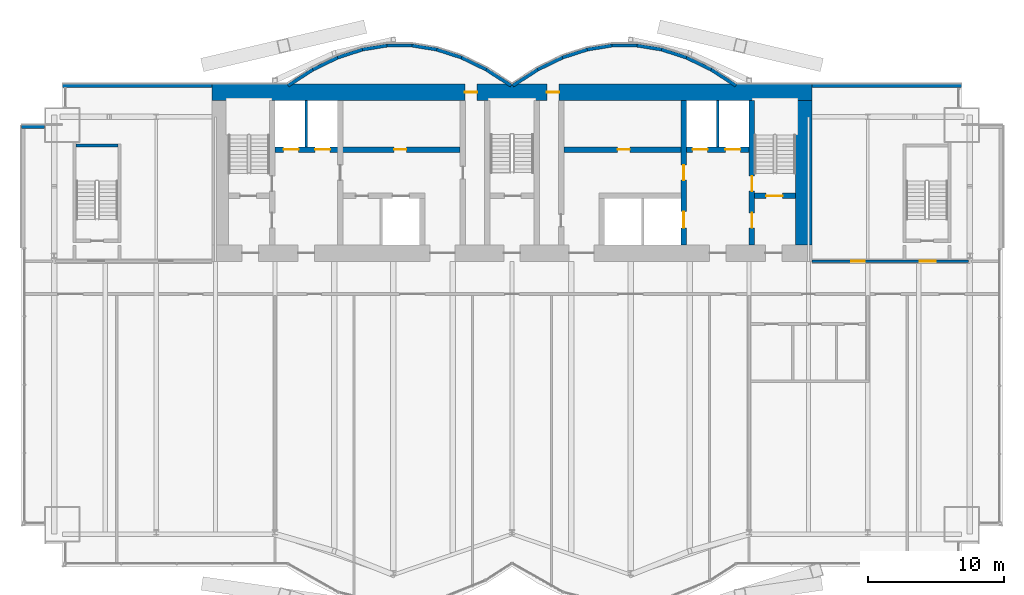
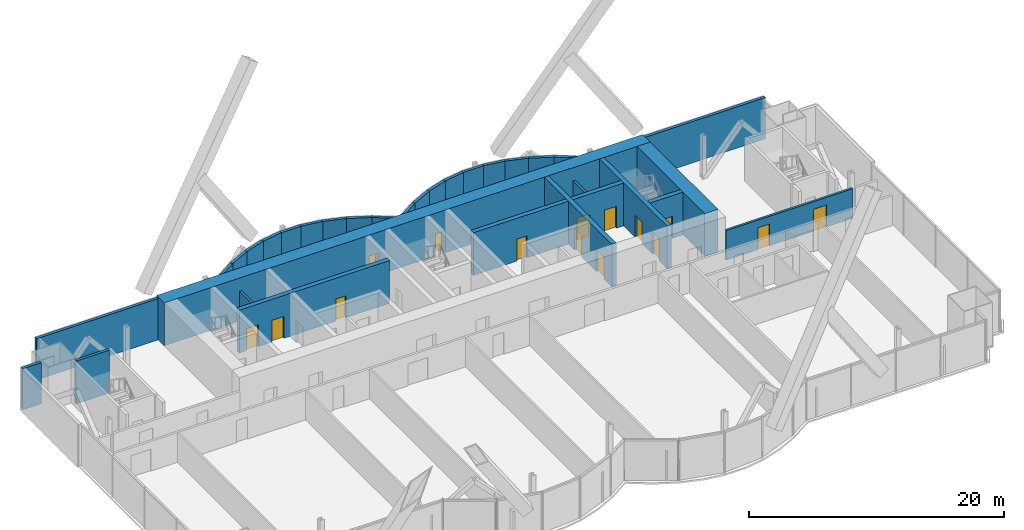
# One storey, part 19 of 23: 32 walls, 15 doors, 15 openings.
"""IFC4 building model written with IfcOpenShell, lengths in metres."""

from ifc_helpers import new_model, si_unit, direction, frame, frame_2d, origin, place, context, subcontext, project, spatial, rectangle, extrude, material, layer, layer_set, layer_usage, type_object, element, fill, save


model = new_model("IFC4")

# Units and contexts
model_context = context("Model", 3, precision=1e-05, world=origin(), true_north=direction((0.0, 1.0)))
body_context = subcontext(model_context, "Body", "Model", "MODEL_VIEW")
ifc_project = project(units=[si_unit("LENGTHUNIT", "METRE"), si_unit("AREAUNIT", "SQUARE_METRE"), si_unit("VOLUMEUNIT", "CUBIC_METRE"), si_unit("PLANEANGLEUNIT", "RADIAN"), si_unit("MASSUNIT", "GRAM", prefix="KILO")], contexts=[model_context])

# Site, building, storey
site_placement = place(None, origin())
site = spatial("IfcSite", under=ifc_project, at=site_placement, CompositionType="ELEMENT")
building_placement = place(site_placement, origin())
building = spatial("IfcBuilding", under=site, at=building_placement, Name="Bicima Exchange Tower", CompositionType="ELEMENT")
storey_placement = place(building_placement, frame((0.0, 0.0, 152.699951171875)))
storey = spatial("IfcBuildingStorey", under=building, at=storey_placement, Name="L33", CompositionType="ELEMENT", Elevation=152.699951171875)

# Walls
ifc_material_1 = material(Name="Gypsum board partition")
ifc_layer_1 = layer(ifc_material_1, 0.199951171875)
ifc_layer_set_1 = layer_set([ifc_layer_1], Name="Gypsum board partition")
wall_type_1 = type_object("IfcWallType", Name="Fire-rated gypsum partition 200 EI120", PredefinedType="PARTITIONING", material=ifc_layer_set_1)
for number, where, z_axis, x_axis, name in (
    (1, (-15.10009765625, -4.60009765625, 0.0), (0.0, 0.0, 1.0), (0.0, 1.0, 0.0), "partition wall 9"),
    (2, (15.10009765625, -4.60009765625, 0.0), (0.0, 0.0, 1.0), (0.0, 1.0, 0.0), "partition wall 20"),
):
    element("IfcWall", number, at=place(storey_placement, frame(where, z_axis=z_axis, x_axis=x_axis)), inside=storey, type_object=wall_type_1, Name=name, PredefinedType="PARTITIONING", context=body_context, shape_type="SweptSolid", body=[
        extrude(rectangle(XDim=3.400146484375, YDim=0.199951171875, at=frame_2d((1.7001953125, 0.0))), origin(), (0.0, 0.0, 1.0), 2.84033203125),
    ])

# Wall, openings, doors
ifc_layer_2 = layer(ifc_material_1, 0.199951171875)
ifc_layer_set_2 = layer_set([ifc_layer_2], Name="Gypsum board partition")
wall_type_2 = type_object("IfcWallType", Name="Fire-rated gypsum partition 200 EI60", PredefinedType="PARTITIONING", material=ifc_layer_set_2)
wall_1_placement = place(storey_placement, frame((22.0, -13.0, 0.0), z_axis=(0.0, 0.0, 1.0), x_axis=(1.0, 0.0, 0.0)))
wall_1 = element("IfcWall", 3, at=wall_1_placement, inside=storey, type_object=wall_type_2, Name="partition wall 6", PredefinedType="PARTITIONING", context=body_context, shape_type="SweptSolid", body=[
    extrude(rectangle(XDim=11.47998046875, YDim=0.199951171875, at=frame_2d((5.739990234375, 0.0))), origin(), (0.0, 0.0, 1.0), 2.84033203125),
])
opening_1_placement = place(wall_1_placement, frame((7.89990234375, 0.0, 0.0)))
opening_1 = element("IfcOpeningElement", 4, at=opening_1_placement, cuts=wall_1, Name="Opening L33-003", PredefinedType="OPENING", context=body_context, shape_type="SweptSolid", body=[
    extrude(rectangle(XDim=1.199951171875, YDim=2.10009765625, at=frame_2d((0.60009765625, 1.050048828125))), frame((0.0, 0.11181640625, 0.0), z_axis=(0.0, -1.0, 0.0), x_axis=(1.0, 0.0, 0.0)), (0.0, 0.0, 1.0), 0.223876953125),
])
opening_2_placement = place(wall_1_placement, frame((2.89990234375, 0.0, 0.0)))
opening_2 = element("IfcOpeningElement", 5, at=opening_2_placement, cuts=wall_1, Name="Opening L33-006", PredefinedType="OPENING", context=body_context, shape_type="SweptSolid", body=[
    extrude(rectangle(XDim=1.0, YDim=2.10009765625, at=frame_2d((0.5, 1.050048828125))), frame((0.0, 0.11181640625, 0.0), z_axis=(0.0, -1.0, 0.0), x_axis=(1.0, 0.0, 0.0)), (0.0, 0.0, 1.0), 0.223876953125),
])
ifc_material_2 = material(Name="Steel fire door leaf", Category="steel")
door_type_1 = type_object("IfcDoorType", Name="Door 1000 swing FD30S", OperationType="SINGLE_SWING_LEFT", PredefinedType="DOOR", material=ifc_material_2)
door_1_placement = place(opening_2_placement, origin())
door_1 = element("IfcDoor", 6, at=door_1_placement, inside=storey, type_object=door_type_1, Name="Door", OperationType="SINGLE_SWING_RIGHT", OverallHeight=2.10009765625, OverallWidth=1.0, PredefinedType="DOOR", context=body_context, shape_type="SweptSolid", body=[
    extrude(rectangle(XDim=1.0, YDim=2.10009765625, at=frame_2d((0.5, 1.050048828125))), frame((0.0, 0.02490234375, 0.0), z_axis=(0.0, -1.0, 0.0), x_axis=(1.0, 0.0, 0.0)), (0.0, 0.0, 1.0), 0.050048828125),
])
fill(opening_2, door_1)
door_type_2 = type_object("IfcDoorType", Name="Door 1200 swing FD30S", OperationType="SINGLE_SWING_LEFT", PredefinedType="DOOR", material=ifc_material_2)
door_2_placement = place(opening_1_placement, origin())
door_2 = element("IfcDoor", 7, at=door_2_placement, inside=storey, type_object=door_type_2, Name="Door", OperationType="SINGLE_SWING_RIGHT", OverallHeight=2.10009765625, OverallWidth=1.199951171875, PredefinedType="DOOR", context=body_context, shape_type="SweptSolid", body=[
    extrude(rectangle(XDim=1.199951171875, YDim=2.10009765625, at=frame_2d((0.60009765625, 1.050048828125))), frame((0.0, 0.02490234375, 0.0), z_axis=(0.0, -1.0, 0.0), x_axis=(1.0, 0.0, 0.0)), (0.0, 0.0, 1.0), 0.050048828125),
])
fill(opening_1, door_2)

ifc_material_3 = material(Name="Concrete C50/60", Category="concrete")
ifc_layer_3 = layer(ifc_material_3, 1.199951171875)
ifc_layer_set_3 = layer_set([ifc_layer_3], Name="Concrete C50/60")
wall_type_3 = type_object("IfcWallType", Name="RC core wall 1200 C50/60", PredefinedType="SHEAR", material=ifc_layer_set_3)
wall_2_placement = place(storey_placement, frame((-22.0, -0.60009765625, 0.0), z_axis=(0.0, 0.0, 1.0), x_axis=(1.0, 0.0, 0.0)))
wall_2 = element("IfcWall", 8, at=wall_2_placement, inside=storey, type_object=wall_type_3, Name="Core wall north", PredefinedType="SHEAR", context=body_context, shape_type="SweptSolid", body=[
    extrude(rectangle(XDim=44.0, YDim=1.199951171875, at=frame_2d((22.0, 0.0))), origin(), (0.0, 0.0, 1.0), 4.10009765625),
])
opening_3_placement = place(wall_2_placement, frame((18.550048828125, 0.0, 0.0)))
opening_3 = element("IfcOpeningElement", 9, at=opening_3_placement, cuts=wall_2, Name="Opening L33-C15", PredefinedType="OPENING", context=body_context, shape_type="SweptSolid", body=[
    extrude(rectangle(XDim=0.89990234375, YDim=2.10009765625, at=frame_2d((0.449951171875, 1.050048828125))), frame((0.0, 0.61181640625, 0.0), z_axis=(0.0, -1.0, 0.0), x_axis=(1.0, 0.0, 0.0)), (0.0, 0.0, 1.0), 1.223876953125),
])
opening_4_placement = place(wall_2_placement, frame((24.550048828125, 0.0, 0.0)))
opening_4 = element("IfcOpeningElement", 10, at=opening_4_placement, cuts=wall_2, Name="Opening L33-C16", PredefinedType="OPENING", context=body_context, shape_type="SweptSolid", body=[
    extrude(rectangle(XDim=0.89990234375, YDim=2.10009765625, at=frame_2d((0.449951171875, 1.050048828125))), frame((0.0, 0.61181640625, 0.0), z_axis=(0.0, -1.0, 0.0), x_axis=(1.0, 0.0, 0.0)), (0.0, 0.0, 1.0), 1.223876953125),
])
door_type_3 = type_object("IfcDoorType", Name="Door 900 swing FD30S", OperationType="SINGLE_SWING_LEFT", PredefinedType="DOOR", material=ifc_material_2)
door_3_placement = place(opening_3_placement, origin())
door_3 = element("IfcDoor", 11, at=door_3_placement, inside=storey, type_object=door_type_3, Name="Core door", OperationType="SINGLE_SWING_LEFT", OverallHeight=2.10009765625, OverallWidth=0.89990234375, PredefinedType="DOOR", context=body_context, shape_type="SweptSolid", body=[
    extrude(rectangle(XDim=0.89990234375, YDim=2.10009765625, at=frame_2d((0.449951171875, 1.050048828125))), frame((0.0, 0.02490234375, 0.0), z_axis=(0.0, -1.0, 0.0), x_axis=(1.0, 0.0, 0.0)), (0.0, 0.0, 1.0), 0.050048828125),
])
fill(opening_3, door_3)
door_4_placement = place(opening_4_placement, origin())
door_4 = element("IfcDoor", 12, at=door_4_placement, inside=storey, type_object=door_type_3, Name="Core door", OperationType="SINGLE_SWING_LEFT", OverallHeight=2.10009765625, OverallWidth=0.89990234375, PredefinedType="DOOR", context=body_context, shape_type="SweptSolid", body=[
    extrude(rectangle(XDim=0.89990234375, YDim=2.10009765625, at=frame_2d((0.449951171875, 1.050048828125))), frame((0.0, 0.02490234375, 0.0), z_axis=(0.0, -1.0, 0.0), x_axis=(1.0, 0.0, 0.0)), (0.0, 0.0, 1.0), 0.050048828125),
])
fill(opening_4, door_4)

# Wall
wall_3_placement = place(storey_placement, frame((21.39990234375, -11.800048828125, 0.0), z_axis=(0.0, 0.0, 1.0), x_axis=(0.0, 1.0, 0.0)))
element("IfcWall", 13, at=wall_3_placement, inside=storey, type_object=wall_type_3, Name="Core wall east", PredefinedType="SHEAR", context=body_context, shape_type="SweptSolid", body=[
    extrude(rectangle(XDim=10.60009765625, YDim=1.199951171875, at=frame_2d((5.300048828125, 0.0))), origin(), (0.0, 0.0, 1.0), 4.10009765625),
])

# Wall, opening, door
ifc_layer_4 = layer(ifc_material_3, 0.39990234375)
ifc_layer_set_4 = layer_set([ifc_layer_4], Name="Concrete C50/60")
wall_type_4 = type_object("IfcWallType", Name="RC core wall 400 C50/60", PredefinedType="SHEAR", material=ifc_layer_set_4)
wall_4_placement = place(storey_placement, frame((17.800048828125, -8.199951171875, 0.0), z_axis=(0.0, 0.0, 1.0), x_axis=(1.0, 0.0, 0.0)))
wall_4 = element("IfcWall", 14, at=wall_4_placement, inside=storey, type_object=wall_type_4, Name="stair wall 5", PredefinedType="SHEAR", context=body_context, shape_type="SweptSolid", body=[
    extrude(rectangle(XDim=3.0, YDim=0.39990234375, at=frame_2d((1.5, 0.0))), origin(), (0.0, 0.0, 1.0), 4.10009765625),
])
opening_5_placement = place(wall_4_placement, frame((0.85009765625, 0.0, 0.0)))
opening_5 = element("IfcOpeningElement", 15, at=opening_5_placement, cuts=wall_4, Name="Opening L33-C04", PredefinedType="OPENING", context=body_context, shape_type="SweptSolid", body=[
    extrude(rectangle(XDim=1.199951171875, YDim=2.10009765625, at=frame_2d((0.60009765625, 1.050048828125))), frame((0.0, 0.2119140625, 0.0), z_axis=(0.0, -1.0, 0.0), x_axis=(1.0, 0.0, 0.0)), (0.0, 0.0, 1.0), 0.423828125),
])
door_type_4 = type_object("IfcDoorType", Name="Door 1200 swing FD60S", OperationType="SINGLE_SWING_LEFT", PredefinedType="DOOR", material=ifc_material_2)
door_5_placement = place(opening_5_placement, origin())
door_5 = element("IfcDoor", 16, at=door_5_placement, inside=storey, type_object=door_type_4, Name="Core door", OperationType="SINGLE_SWING_RIGHT", OverallHeight=2.10009765625, OverallWidth=1.199951171875, PredefinedType="DOOR", context=body_context, shape_type="SweptSolid", body=[
    extrude(rectangle(XDim=1.199951171875, YDim=2.10009765625, at=frame_2d((0.60009765625, 1.050048828125))), frame((0.0, 0.02490234375, 0.0), z_axis=(0.0, -1.0, 0.0), x_axis=(1.0, 0.0, 0.0)), (0.0, 0.0, 1.0), 0.050048828125),
])
fill(opening_5, door_5)

# Wall, openings, doors
wall_5_placement = place(storey_placement, frame((-17.39990234375, -4.800048828125, 0.0), z_axis=(0.0, 0.0, 1.0), x_axis=(1.0, 0.0, 0.0)))
wall_5 = element("IfcWall", 17, at=wall_5_placement, inside=storey, type_object=wall_type_4, Name="shear wall 6", PredefinedType="SHEAR", context=body_context, shape_type="SweptSolid", body=[
    extrude(rectangle(XDim=13.599853515625, YDim=0.39990234375, at=frame_2d((6.7998046875, 0.0))), origin(), (0.0, 0.0, 1.0), 4.10009765625),
])
opening_6_placement = place(wall_5_placement, frame((0.64990234375, 0.0, 0.0)))
opening_6 = element("IfcOpeningElement", 18, at=opening_6_placement, cuts=wall_5, Name="Opening LD-FF1-L33", PredefinedType="OPENING", context=body_context, shape_type="SweptSolid", body=[
    extrude(rectangle(XDim=1.10009765625, YDim=2.10009765625, at=frame_2d((0.550048828125, 1.050048828125))), frame((0.0, 0.2119140625, 0.0), z_axis=(0.0, -1.0, 0.0), x_axis=(1.0, 0.0, 0.0)), (0.0, 0.0, 1.0), 0.423828125),
])
opening_7_placement = place(wall_5_placement, frame((2.949951171875, 0.0, 0.0)))
opening_7 = element("IfcOpeningElement", 19, at=opening_7_placement, cuts=wall_5, Name="Opening LD-FF3-L33", PredefinedType="OPENING", context=body_context, shape_type="SweptSolid", body=[
    extrude(rectangle(XDim=1.10009765625, YDim=2.10009765625, at=frame_2d((0.550048828125, 1.050048828125))), frame((0.0, 0.2119140625, 0.0), z_axis=(0.0, -1.0, 0.0), x_axis=(1.0, 0.0, 0.0)), (0.0, 0.0, 1.0), 0.423828125),
])
opening_8_placement = place(wall_5_placement, frame((8.75, 0.0, 0.0)))
opening_8 = element("IfcOpeningElement", 20, at=opening_8_placement, cuts=wall_5, Name="Opening L33-C12", PredefinedType="OPENING", context=body_context, shape_type="SweptSolid", body=[
    extrude(rectangle(XDim=0.89990234375, YDim=2.10009765625, at=frame_2d((0.449951171875, 1.050048828125))), frame((0.0, 0.2119140625, 0.0), z_axis=(0.0, -1.0, 0.0), x_axis=(1.0, 0.0, 0.0)), (0.0, 0.0, 1.0), 0.423828125),
])
door_6_placement = place(opening_8_placement, origin())
door_6 = element("IfcDoor", 21, at=door_6_placement, inside=storey, type_object=door_type_3, Name="Core door", OperationType="SINGLE_SWING_RIGHT", OverallHeight=2.10009765625, OverallWidth=0.89990234375, PredefinedType="DOOR", context=body_context, shape_type="SweptSolid", body=[
    extrude(rectangle(XDim=0.89990234375, YDim=2.10009765625, at=frame_2d((0.449951171875, 1.050048828125))), frame((0.0, 0.02490234375, 0.0), z_axis=(0.0, -1.0, 0.0), x_axis=(1.0, 0.0, 0.0)), (0.0, 0.0, 1.0), 0.050048828125),
])
fill(opening_8, door_6)
ifc_material_4 = material(Name="Stainless steel", Category="steel")
door_type_5 = type_object("IfcDoorType", Name="Lift landing door 1100 sliding", OperationType="DOUBLE_DOOR_SLIDING", PredefinedType="DOOR", material=ifc_material_4)
door_7_placement = place(opening_6_placement, origin())
door_7 = element("IfcDoor", 22, at=door_7_placement, inside=storey, type_object=door_type_5, Name="Lift landing door FF1", OperationType="DOUBLE_DOOR_SLIDING", OverallHeight=2.10009765625, OverallWidth=1.10009765625, PredefinedType="DOOR", context=body_context, shape_type="SweptSolid", body=[
    extrude(rectangle(XDim=1.10009765625, YDim=2.10009765625, at=frame_2d((0.550048828125, 1.050048828125))), frame((0.0, 0.02490234375, 0.0), z_axis=(0.0, -1.0, 0.0), x_axis=(1.0, 0.0, 0.0)), (0.0, 0.0, 1.0), 0.050048828125),
])
fill(opening_6, door_7)
door_8_placement = place(opening_7_placement, origin())
door_8 = element("IfcDoor", 23, at=door_8_placement, inside=storey, type_object=door_type_5, Name="Lift landing door FF3", OperationType="DOUBLE_DOOR_SLIDING", OverallHeight=2.10009765625, OverallWidth=1.10009765625, PredefinedType="DOOR", context=body_context, shape_type="SweptSolid", body=[
    extrude(rectangle(XDim=1.10009765625, YDim=2.10009765625, at=frame_2d((0.550048828125, 1.050048828125))), frame((0.0, 0.02490234375, 0.0), z_axis=(0.0, -1.0, 0.0), x_axis=(1.0, 0.0, 0.0)), (0.0, 0.0, 1.0), 0.050048828125),
])
fill(opening_7, door_8)

wall_6_placement = place(storey_placement, frame((3.800048828125, -4.800048828125, 0.0), z_axis=(0.0, 0.0, 1.0), x_axis=(1.0, 0.0, 0.0)))
wall_6 = element("IfcWall", 24, at=wall_6_placement, inside=storey, type_object=wall_type_4, Name="shear wall 7", PredefinedType="SHEAR", context=body_context, shape_type="SweptSolid", body=[
    extrude(rectangle(XDim=13.599853515625, YDim=0.39990234375, at=frame_2d((6.7998046875, 0.0))), origin(), (0.0, 0.0, 1.0), 4.10009765625),
])
opening_9_placement = place(wall_6_placement, frame((9.449951171875, 0.0, 0.0)))
opening_9 = element("IfcOpeningElement", 25, at=opening_9_placement, cuts=wall_6, Name="Opening LD-FF2-L33", PredefinedType="OPENING", context=body_context, shape_type="SweptSolid", body=[
    extrude(rectangle(XDim=1.10009765625, YDim=2.10009765625, at=frame_2d((0.550048828125, 1.050048828125))), frame((0.0, 0.2119140625, 0.0), z_axis=(0.0, -1.0, 0.0), x_axis=(1.0, 0.0, 0.0)), (0.0, 0.0, 1.0), 0.423828125),
])
opening_10_placement = place(wall_6_placement, frame((11.85009765625, 0.0, 0.0)))
opening_10 = element("IfcOpeningElement", 26, at=opening_10_placement, cuts=wall_6, Name="Opening LD-SV1-L33", PredefinedType="OPENING", context=body_context, shape_type="SweptSolid", body=[
    extrude(rectangle(XDim=1.10009765625, YDim=2.10009765625, at=frame_2d((0.550048828125, 1.050048828125))), frame((0.0, 0.2119140625, 0.0), z_axis=(0.0, -1.0, 0.0), x_axis=(1.0, 0.0, 0.0)), (0.0, 0.0, 1.0), 0.423828125),
])
opening_11_placement = place(wall_6_placement, frame((3.949951171875, 0.0, 0.0)))
opening_11 = element("IfcOpeningElement", 27, at=opening_11_placement, cuts=wall_6, Name="Opening L33-C13", PredefinedType="OPENING", context=body_context, shape_type="SweptSolid", body=[
    extrude(rectangle(XDim=0.89990234375, YDim=2.10009765625, at=frame_2d((0.449951171875, 1.050048828125))), frame((0.0, 0.2119140625, 0.0), z_axis=(0.0, -1.0, 0.0), x_axis=(1.0, 0.0, 0.0)), (0.0, 0.0, 1.0), 0.423828125),
])
door_9_placement = place(opening_11_placement, origin())
door_9 = element("IfcDoor", 28, at=door_9_placement, inside=storey, type_object=door_type_3, Name="Core door", OperationType="SINGLE_SWING_LEFT", OverallHeight=2.10009765625, OverallWidth=0.89990234375, PredefinedType="DOOR", context=body_context, shape_type="SweptSolid", body=[
    extrude(rectangle(XDim=0.89990234375, YDim=2.10009765625, at=frame_2d((0.449951171875, 1.050048828125))), frame((0.0, 0.02490234375, 0.0), z_axis=(0.0, -1.0, 0.0), x_axis=(1.0, 0.0, 0.0)), (0.0, 0.0, 1.0), 0.050048828125),
])
fill(opening_11, door_9)
door_10_placement = place(opening_9_placement, origin())
door_10 = element("IfcDoor", 29, at=door_10_placement, inside=storey, type_object=door_type_5, Name="Lift landing door FF2", OperationType="DOUBLE_DOOR_SLIDING", OverallHeight=2.10009765625, OverallWidth=1.10009765625, PredefinedType="DOOR", context=body_context, shape_type="SweptSolid", body=[
    extrude(rectangle(XDim=1.10009765625, YDim=2.10009765625, at=frame_2d((0.550048828125, 1.050048828125))), frame((0.0, 0.02490234375, 0.0), z_axis=(0.0, -1.0, 0.0), x_axis=(1.0, 0.0, 0.0)), (0.0, 0.0, 1.0), 0.050048828125),
])
fill(opening_9, door_10)
door_11_placement = place(opening_10_placement, origin())
door_11 = element("IfcDoor", 30, at=door_11_placement, inside=storey, type_object=door_type_5, Name="Lift landing door SV1", OperationType="DOUBLE_DOOR_SLIDING", OverallHeight=2.10009765625, OverallWidth=1.10009765625, PredefinedType="DOOR", context=body_context, shape_type="SweptSolid", body=[
    extrude(rectangle(XDim=1.10009765625, YDim=2.10009765625, at=frame_2d((0.550048828125, 1.050048828125))), frame((0.0, 0.02490234375, 0.0), z_axis=(0.0, -1.0, 0.0), x_axis=(1.0, 0.0, 0.0)), (0.0, 0.0, 1.0), 0.050048828125),
])
fill(opening_10, door_11)

wall_7_placement = place(storey_placement, frame((12.60009765625, -11.800048828125, 0.0), z_axis=(0.0, 0.0, 1.0), x_axis=(0.0, 1.0, 0.0)))
wall_7 = element("IfcWall", 31, at=wall_7_placement, inside=storey, type_object=wall_type_4, Name="shear wall 19", PredefinedType="SHEAR", context=body_context, shape_type="SweptSolid", body=[
    extrude(rectangle(XDim=10.60009765625, YDim=0.39990234375, at=frame_2d((5.300048828125, 0.0))), origin(), (0.0, 0.0, 1.0), 4.10009765625),
])
opening_12_placement = place(wall_7_placement, frame((1.25, 0.0, 0.0)))
opening_12 = element("IfcOpeningElement", 32, at=opening_12_placement, cuts=wall_7, Name="Opening LD-MB2-L33", PredefinedType="OPENING", context=body_context, shape_type="SweptSolid", body=[
    extrude(rectangle(XDim=1.199951171875, YDim=2.10009765625, at=frame_2d((0.60009765625, 1.050048828125))), frame((0.0, 0.2119140625, 0.0), z_axis=(0.0, -1.0, 0.0), x_axis=(1.0, 0.0, 0.0)), (0.0, 0.0, 1.0), 0.423828125),
])
opening_13_placement = place(wall_7_placement, frame((4.75, 0.0, 0.0)))
opening_13 = element("IfcOpeningElement", 33, at=opening_13_placement, cuts=wall_7, Name="Opening L33-C09", PredefinedType="OPENING", context=body_context, shape_type="SweptSolid", body=[
    extrude(rectangle(XDim=1.10009765625, YDim=2.10009765625, at=frame_2d((0.550048828125, 1.050048828125))), frame((0.0, 0.2119140625, 0.0), z_axis=(0.0, -1.0, 0.0), x_axis=(1.0, 0.0, 0.0)), (0.0, 0.0, 1.0), 0.423828125),
])
door_type_6 = type_object("IfcDoorType", Name="Door 1100 swing FD60S", OperationType="SINGLE_SWING_LEFT", PredefinedType="DOOR", material=ifc_material_2)
door_12_placement = place(opening_13_placement, frame((1.10009765625, 0.0, 0.0), z_axis=(0.0, 0.0, 1.0), x_axis=(-1.0, 0.0, 0.0)))
door_12 = element("IfcDoor", 34, at=door_12_placement, inside=storey, type_object=door_type_6, Name="Core door", OperationType="SINGLE_SWING_RIGHT", OverallHeight=2.10009765625, OverallWidth=1.10009765625, PredefinedType="DOOR", context=body_context, shape_type="SweptSolid", body=[
    extrude(rectangle(XDim=1.10009765625, YDim=2.10009765625, at=frame_2d((0.550048828125, 1.050048828125))), frame((0.0, 0.02490234375, 0.0), z_axis=(0.0, -1.0, 0.0), x_axis=(1.0, 0.0, 0.0)), (0.0, 0.0, 1.0), 0.050048828125),
])
fill(opening_13, door_12)
door_type_7 = type_object("IfcDoorType", Name="Lift landing door 1200 sliding", OperationType="DOUBLE_DOOR_SLIDING", PredefinedType="DOOR", material=ifc_material_4)
door_13_placement = place(opening_12_placement, origin())
door_13 = element("IfcDoor", 35, at=door_13_placement, inside=storey, type_object=door_type_7, Name="Lift landing door MB2", OperationType="DOUBLE_DOOR_SLIDING", OverallHeight=2.10009765625, OverallWidth=1.199951171875, PredefinedType="DOOR", context=body_context, shape_type="SweptSolid", body=[
    extrude(rectangle(XDim=1.199951171875, YDim=2.10009765625, at=frame_2d((0.60009765625, 1.050048828125))), frame((0.0, 0.02490234375, 0.0), z_axis=(0.0, -1.0, 0.0), x_axis=(1.0, 0.0, 0.0)), (0.0, 0.0, 1.0), 0.050048828125),
])
fill(opening_12, door_13)

wall_8_placement = place(storey_placement, frame((17.60009765625, -11.800048828125, 0.0), z_axis=(0.0, 0.0, 1.0), x_axis=(0.0, 1.0, 0.0)))
wall_8 = element("IfcWall", 36, at=wall_8_placement, inside=storey, type_object=wall_type_4, Name="stair wall 21", PredefinedType="SHEAR", context=body_context, shape_type="SweptSolid", body=[
    extrude(rectangle(XDim=10.60009765625, YDim=0.39990234375, at=frame_2d((5.300048828125, 0.0))), origin(), (0.0, 0.0, 1.0), 4.10009765625),
])
opening_14_placement = place(wall_8_placement, frame((1.25, 0.0, 0.0)))
opening_14 = element("IfcOpeningElement", 37, at=opening_14_placement, cuts=wall_8, Name="Opening L33-C05", PredefinedType="OPENING", context=body_context, shape_type="SweptSolid", body=[
    extrude(rectangle(XDim=1.10009765625, YDim=2.10009765625, at=frame_2d((0.550048828125, 1.050048828125))), frame((0.0, 0.2119140625, 0.0), z_axis=(0.0, -1.0, 0.0), x_axis=(1.0, 0.0, 0.0)), (0.0, 0.0, 1.0), 0.423828125),
])
opening_15_placement = place(wall_8_placement, frame((3.949951171875, 0.0, 0.0)))
opening_15 = element("IfcOpeningElement", 38, at=opening_15_placement, cuts=wall_8, Name="Opening L33-C08", PredefinedType="OPENING", context=body_context, shape_type="SweptSolid", body=[
    extrude(rectangle(XDim=1.10009765625, YDim=2.10009765625, at=frame_2d((0.550048828125, 1.050048828125))), frame((0.0, 0.2119140625, 0.0), z_axis=(0.0, -1.0, 0.0), x_axis=(1.0, 0.0, 0.0)), (0.0, 0.0, 1.0), 0.423828125),
])
door_14_placement = place(opening_14_placement, origin())
door_14 = element("IfcDoor", 39, at=door_14_placement, inside=storey, type_object=door_type_6, Name="Core door", OperationType="SINGLE_SWING_LEFT", OverallHeight=2.10009765625, OverallWidth=1.10009765625, PredefinedType="DOOR", context=body_context, shape_type="SweptSolid", body=[
    extrude(rectangle(XDim=1.10009765625, YDim=2.10009765625, at=frame_2d((0.550048828125, 1.050048828125))), frame((0.0, 0.02490234375, 0.0), z_axis=(0.0, -1.0, 0.0), x_axis=(1.0, 0.0, 0.0)), (0.0, 0.0, 1.0), 0.050048828125),
])
fill(opening_14, door_14)
door_15_placement = place(opening_15_placement, origin())
door_15 = element("IfcDoor", 40, at=door_15_placement, inside=storey, type_object=door_type_6, Name="Core door", OperationType="SINGLE_SWING_RIGHT", OverallHeight=2.10009765625, OverallWidth=1.10009765625, PredefinedType="DOOR", context=body_context, shape_type="SweptSolid", body=[
    extrude(rectangle(XDim=1.10009765625, YDim=2.10009765625, at=frame_2d((0.550048828125, 1.050048828125))), frame((0.0, 0.02490234375, 0.0), z_axis=(0.0, -1.0, 0.0), x_axis=(1.0, 0.0, 0.0)), (0.0, 0.0, 1.0), 0.050048828125),
])
fill(opening_15, door_15)

# Walls
ifc_layer_5 = layer(ifc_material_3, 0.25)
ifc_layer_set_5 = layer_set([ifc_layer_5], Name="Concrete C50/60")
wall_type_5 = type_object("IfcWallType", Name="RC stair enclosure wall 250 C50/60", PredefinedType="SHEAR", material=ifc_layer_set_5)
wall_9_placement = place(storey_placement, frame((-31.97509765625, -4.5, 0.0), z_axis=(0.0, 0.0, 1.0), x_axis=(1.0, 0.0, 0.0)))
element("IfcWall", 41, at=wall_9_placement, inside=storey, type_object=wall_type_5, Name="West end exit stair wall N", PredefinedType="SHEAR", context=body_context, shape_type="SweptSolid", body=[
    extrude(rectangle(XDim=3.050048828125, YDim=0.25, at=frame_2d((1.52490234375, 0.0))), origin(), (0.0, 0.0, 1.0), 4.10009765625),
])
ifc_material_5 = material(Name="Concrete C40/50", Category="concrete")
ifc_layer_6 = layer(ifc_material_5, 0.25)
ifc_layer_set_6 = layer_set([ifc_layer_6], Name="Concrete C40/50")
ifc_layer_usage = layer_usage(ifc_layer_set_6, "AXIS2", "POSITIVE", -0.125)
wall_type_6 = type_object("IfcWallType", Name="Rear backup wall 250", PredefinedType="STANDARD", material=ifc_layer_set_6)
wall_10_placement = place(storey_placement, frame((33.0, -0.125, 0.0), z_axis=(0.0, 0.0, 1.0), x_axis=(-1.0, 0.0, 0.0)))
element("IfcWall", 42, at=wall_10_placement, inside=storey, type_object=wall_type_6, material=ifc_layer_usage, Name="Rear backup wall L33 1", PredefinedType="STANDARD", context=body_context, shape_type="SweptSolid", body=[
    extrude(rectangle(XDim=11.0, YDim=0.25, at=frame_2d((5.5, 0.0))), origin(), (0.0, 0.0, 1.0), 3.949951171875),
])
wall_11_placement = place(storey_placement, frame((16.43212890625, -0.10498046875, 0.0), z_axis=(0.0, 0.0, 1.0), x_axis=(-0.83981312244, 0.542875602121, 0.0)))
element("IfcWall", 43, at=wall_11_placement, inside=storey, type_object=wall_type_6, material=ifc_layer_usage, Name="Rear backup wall L33 2", PredefinedType="STANDARD", context=body_context, shape_type="SweptSolid", body=[
    extrude(rectangle(XDim=2.182861328125, YDim=0.25, at=frame_2d((1.09130859375, 0.0))), origin(), (0.0, 0.0, 1.0), 3.949951171875),
])
wall_12_placement = place(storey_placement, frame((14.6123046875, 1.07275390625, 0.0), z_axis=(0.0, 0.0, 1.0), x_axis=(-0.89982408427, 0.436252928206, 0.0)))
element("IfcWall", 44, at=wall_12_placement, inside=storey, type_object=wall_type_6, material=ifc_layer_usage, Name="Rear backup wall L33 3", PredefinedType="STANDARD", context=body_context, shape_type="SweptSolid", body=[
    extrude(rectangle(XDim=2.03759765625, YDim=0.25, at=frame_2d((1.018798828125, 0.0))), origin(), (0.0, 0.0, 1.0), 3.949951171875),
])
wall_13_placement = place(storey_placement, frame((12.794921875, 1.955078125, 0.0), z_axis=(0.0, 0.0, 1.0), x_axis=(-0.951495806175, 0.307661714928, 0.0)))
element("IfcWall", 45, at=wall_13_placement, inside=storey, type_object=wall_type_6, material=ifc_layer_usage, Name="Rear backup wall L33 4", PredefinedType="STANDARD", context=body_context, shape_type="SweptSolid", body=[
    extrude(rectangle(XDim=1.9267578125, YDim=0.25, at=frame_2d((0.96337890625, 0.0))), origin(), (0.0, 0.0, 1.0), 3.949951171875),
])
wall_14_placement = place(storey_placement, frame((10.97998046875, 2.543212890625, 0.0), z_axis=(0.0, 0.0, 1.0), x_axis=(-0.987181718931, 0.159600293885, 0.0)))
element("IfcWall", 46, at=wall_14_placement, inside=storey, type_object=wall_type_6, material=ifc_layer_usage, Name="Rear backup wall L33 5", PredefinedType="STANDARD", context=body_context, shape_type="SweptSolid", body=[
    extrude(rectangle(XDim=1.857177734375, YDim=0.25, at=frame_2d((0.9287109375, 0.0))), origin(), (0.0, 0.0, 1.0), 3.949951171875),
])
wall_15_placement = place(storey_placement, frame((9.166748046875, 2.837890625, 0.0), z_axis=(0.0, 0.0, 1.0), x_axis=(-1.0, 0.0, 0.0)))
element("IfcWall", 47, at=wall_15_placement, inside=storey, type_object=wall_type_6, material=ifc_layer_usage, Name="Rear backup wall L33 6", PredefinedType="STANDARD", context=body_context, shape_type="SweptSolid", body=[
    extrude(rectangle(XDim=1.83349609375, YDim=0.25, at=frame_2d((0.916748046875, 0.0))), origin(), (0.0, 0.0, 1.0), 3.949951171875),
])
wall_16_placement = place(storey_placement, frame((7.353271484375, 2.839599609375, 0.0), z_axis=(0.0, 0.0, 1.0), x_axis=(-0.987181718931, -0.159600293885, 0.0)))
element("IfcWall", 48, at=wall_16_placement, inside=storey, type_object=wall_type_6, material=ifc_layer_usage, Name="Rear backup wall L33 7", PredefinedType="STANDARD", context=body_context, shape_type="SweptSolid", body=[
    extrude(rectangle(XDim=1.857177734375, YDim=0.25, at=frame_2d((0.9287109375, 0.0))), origin(), (0.0, 0.0, 1.0), 3.949951171875),
])
wall_17_placement = place(storey_placement, frame((5.538330078125, 2.5478515625, 0.0), z_axis=(0.0, 0.0, 1.0), x_axis=(-0.951495806175, -0.307661714928, 0.0)))
element("IfcWall", 49, at=wall_17_placement, inside=storey, type_object=wall_type_6, material=ifc_layer_usage, Name="Rear backup wall L33 8", PredefinedType="STANDARD", context=body_context, shape_type="SweptSolid", body=[
    extrude(rectangle(XDim=1.9267578125, YDim=0.25, at=frame_2d((0.96337890625, 0.0))), origin(), (0.0, 0.0, 1.0), 3.949951171875),
])
wall_18_placement = place(storey_placement, frame((3.72119140625, 1.961669921875, 0.0), z_axis=(0.0, 0.0, 1.0), x_axis=(-0.89982408427, -0.436252928206, 0.0)))
element("IfcWall", 50, at=wall_18_placement, inside=storey, type_object=wall_type_6, material=ifc_layer_usage, Name="Rear backup wall L33 9", PredefinedType="STANDARD", context=body_context, shape_type="SweptSolid", body=[
    extrude(rectangle(XDim=2.03759765625, YDim=0.25, at=frame_2d((1.018798828125, 0.0))), origin(), (0.0, 0.0, 1.0), 3.949951171875),
])
for number, where, z_axis, x_axis, name in (
    (51, (1.901123046875, 1.080078125, 0.0), (0.0, 0.0, 1.0), (-0.83981312244, -0.542875602121, 0.0), "Rear backup wall L33 10"),
    (52, (-0.06787109375, -0.10498046875, 0.0), (0.0, 0.0, 1.0), (-0.83981312244, 0.542875602121, 0.0), "Rear backup wall L33 11"),
):
    element("IfcWall", number, at=place(storey_placement, frame(where, z_axis=z_axis, x_axis=x_axis)), inside=storey, type_object=wall_type_6, material=ifc_layer_usage, Name=name, PredefinedType="STANDARD", context=body_context, shape_type="SweptSolid", body=[
        extrude(rectangle(XDim=2.182861328125, YDim=0.25, at=frame_2d((1.09130859375, 0.0))), origin(), (0.0, 0.0, 1.0), 3.949951171875),
    ])
wall_19_placement = place(storey_placement, frame((-1.8876953125, 1.07275390625, 0.0), z_axis=(0.0, 0.0, 1.0), x_axis=(-0.89982408427, 0.436252928206, 0.0)))
element("IfcWall", 53, at=wall_19_placement, inside=storey, type_object=wall_type_6, material=ifc_layer_usage, Name="Rear backup wall L33 12", PredefinedType="STANDARD", context=body_context, shape_type="SweptSolid", body=[
    extrude(rectangle(XDim=2.03759765625, YDim=0.25, at=frame_2d((1.018798828125, 0.0))), origin(), (0.0, 0.0, 1.0), 3.949951171875),
])
wall_20_placement = place(storey_placement, frame((-3.705078125, 1.955078125, 0.0), z_axis=(0.0, 0.0, 1.0), x_axis=(-0.951495806175, 0.307661714928, 0.0)))
element("IfcWall", 54, at=wall_20_placement, inside=storey, type_object=wall_type_6, material=ifc_layer_usage, Name="Rear backup wall L33 13", PredefinedType="STANDARD", context=body_context, shape_type="SweptSolid", body=[
    extrude(rectangle(XDim=1.9267578125, YDim=0.25, at=frame_2d((0.96337890625, 0.0))), origin(), (0.0, 0.0, 1.0), 3.949951171875),
])
wall_21_placement = place(storey_placement, frame((-5.52001953125, 2.543212890625, 0.0), z_axis=(0.0, 0.0, 1.0), x_axis=(-0.987181718931, 0.159600293885, 0.0)))
element("IfcWall", 55, at=wall_21_placement, inside=storey, type_object=wall_type_6, material=ifc_layer_usage, Name="Rear backup wall L33 14", PredefinedType="STANDARD", context=body_context, shape_type="SweptSolid", body=[
    extrude(rectangle(XDim=1.857177734375, YDim=0.25, at=frame_2d((0.9287109375, 0.0))), origin(), (0.0, 0.0, 1.0), 3.949951171875),
])
wall_22_placement = place(storey_placement, frame((-7.333251953125, 2.837890625, 0.0), z_axis=(0.0, 0.0, 1.0), x_axis=(-1.0, 0.0, 0.0)))
element("IfcWall", 56, at=wall_22_placement, inside=storey, type_object=wall_type_6, material=ifc_layer_usage, Name="Rear backup wall L33 15", PredefinedType="STANDARD", context=body_context, shape_type="SweptSolid", body=[
    extrude(rectangle(XDim=1.83349609375, YDim=0.25, at=frame_2d((0.916748046875, 0.0))), origin(), (0.0, 0.0, 1.0), 3.949951171875),
])
wall_23_placement = place(storey_placement, frame((-9.146728515625, 2.839599609375, 0.0), z_axis=(0.0, 0.0, 1.0), x_axis=(-0.987181718931, -0.159600293885, 0.0)))
element("IfcWall", 57, at=wall_23_placement, inside=storey, type_object=wall_type_6, material=ifc_layer_usage, Name="Rear backup wall L33 16", PredefinedType="STANDARD", context=body_context, shape_type="SweptSolid", body=[
    extrude(rectangle(XDim=1.857177734375, YDim=0.25, at=frame_2d((0.9287109375, 0.0))), origin(), (0.0, 0.0, 1.0), 3.949951171875),
])
wall_24_placement = place(storey_placement, frame((-10.961669921875, 2.5478515625, 0.0), z_axis=(0.0, 0.0, 1.0), x_axis=(-0.951495806175, -0.307661714928, 0.0)))
element("IfcWall", 58, at=wall_24_placement, inside=storey, type_object=wall_type_6, material=ifc_layer_usage, Name="Rear backup wall L33 17", PredefinedType="STANDARD", context=body_context, shape_type="SweptSolid", body=[
    extrude(rectangle(XDim=1.9267578125, YDim=0.25, at=frame_2d((0.96337890625, 0.0))), origin(), (0.0, 0.0, 1.0), 3.949951171875),
])
wall_25_placement = place(storey_placement, frame((-12.77880859375, 1.961669921875, 0.0), z_axis=(0.0, 0.0, 1.0), x_axis=(-0.89982408427, -0.436252928206, 0.0)))
element("IfcWall", 59, at=wall_25_placement, inside=storey, type_object=wall_type_6, material=ifc_layer_usage, Name="Rear backup wall L33 18", PredefinedType="STANDARD", context=body_context, shape_type="SweptSolid", body=[
    extrude(rectangle(XDim=2.03759765625, YDim=0.25, at=frame_2d((1.018798828125, 0.0))), origin(), (0.0, 0.0, 1.0), 3.949951171875),
])
wall_26_placement = place(storey_placement, frame((-14.598876953125, 1.080078125, 0.0), z_axis=(0.0, 0.0, 1.0), x_axis=(-0.83981312244, -0.542875602121, 0.0)))
element("IfcWall", 60, at=wall_26_placement, inside=storey, type_object=wall_type_6, material=ifc_layer_usage, Name="Rear backup wall L33 19", PredefinedType="STANDARD", context=body_context, shape_type="SweptSolid", body=[
    extrude(rectangle(XDim=2.182861328125, YDim=0.25, at=frame_2d((1.09130859375, 0.0))), origin(), (0.0, 0.0, 1.0), 3.949951171875),
])
wall_27_placement = place(storey_placement, frame((-22.0, -0.125, 0.0), z_axis=(0.0, 0.0, 1.0), x_axis=(-1.0, 0.0, 0.0)))
element("IfcWall", 61, at=wall_27_placement, inside=storey, type_object=wall_type_6, material=ifc_layer_usage, Name="Rear backup wall L33 20", PredefinedType="STANDARD", context=body_context, shape_type="SweptSolid", body=[
    extrude(rectangle(XDim=11.0, YDim=0.25, at=frame_2d((5.5, 0.0))), origin(), (0.0, 0.0, 1.0), 3.949951171875),
])
wall_28_placement = place(storey_placement, frame((-34.300048828125, -3.125, 0.0), z_axis=(0.0, 0.0, 1.0), x_axis=(-1.0, 0.0, 0.0)))
element("IfcWall", 62, at=wall_28_placement, inside=storey, type_object=wall_type_6, material=ifc_layer_usage, Name="Rear backup wall L33 22", PredefinedType="STANDARD", context=body_context, shape_type="SweptSolid", body=[
    extrude(rectangle(XDim=1.699951171875, YDim=0.25, at=frame_2d((0.85009765625, 0.0))), origin(), (0.0, 0.0, 1.0), 3.949951171875),
])

save(model, "model.ifc")
